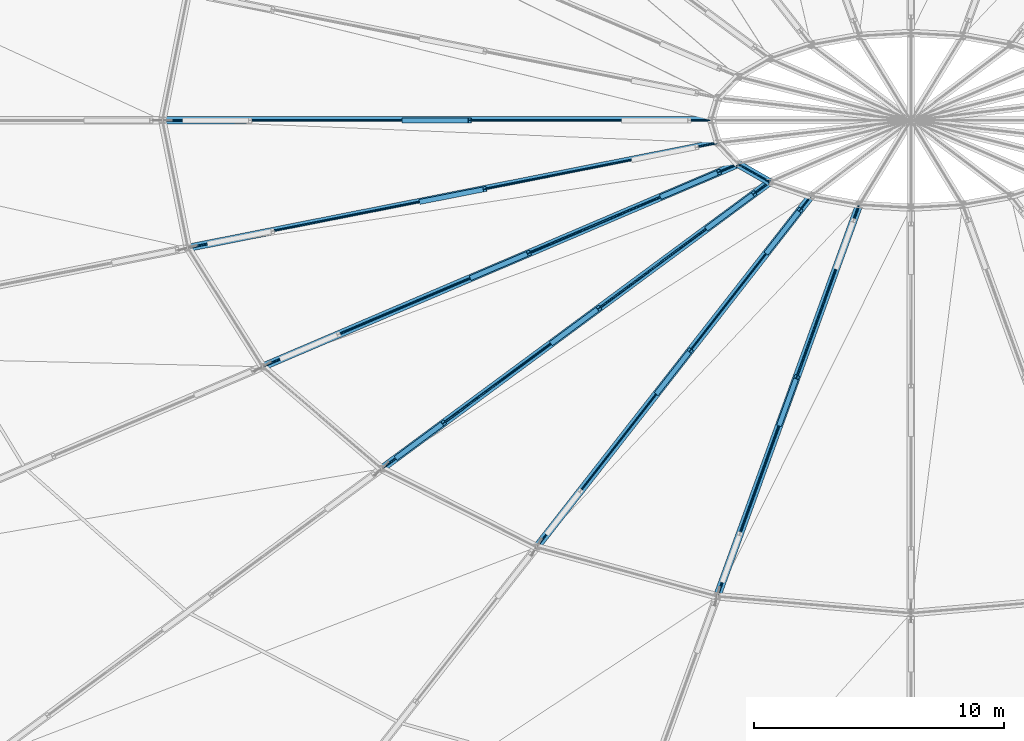
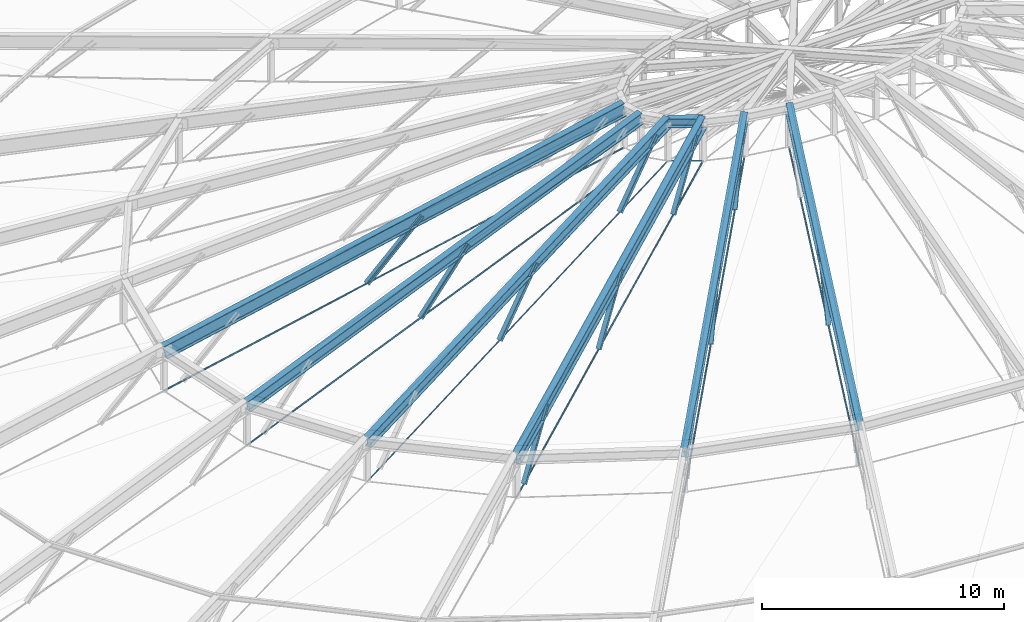
# One storey, part 13 of 83: 17 members, 7 beams.
"""IFC4 building model written with IfcOpenShell, lengths in metres."""

from ifc_helpers import new_model, si_unit, direction, frame, origin, origin_2d, place, context, subcontext, project, spatial, circle, i_section, extrude, material, material_profile, profile_set, type_object, element, save


model = new_model("IFC4")

# Units and contexts
model_context = context("Model", 3, precision=1e-05, world=origin(), true_north=direction((0.0, 1.0)))
body_context = subcontext(model_context, "Body", "Model", "MODEL_VIEW")
ifc_project = project(units=[si_unit("LENGTHUNIT", "METRE"), si_unit("AREAUNIT", "SQUARE_METRE"), si_unit("VOLUMEUNIT", "CUBIC_METRE"), si_unit("PLANEANGLEUNIT", "RADIAN"), si_unit("MASSUNIT", "GRAM", prefix="KILO")], contexts=[model_context])

# Site, building, storey
site_placement = place(None, origin())
site = spatial("IfcSite", under=ifc_project, at=site_placement, CompositionType="ELEMENT")
building_placement = place(site_placement, origin())
building = spatial("IfcBuilding", under=site, at=building_placement, Name="Kivolera Central Railway Station", CompositionType="ELEMENT")
storey_placement = place(building_placement, frame((0.0, 0.0, 14.39990234375)))
storey = spatial("IfcBuildingStorey", under=building, at=storey_placement, Name="L03", CompositionType="ELEMENT", Elevation=14.39990234375)

# Beams
ifc_material_1 = material(Name="Steel S355", Category="steel")
ifc_material_profile_1 = material_profile(ifc_material_1, i_section(OverallWidth=0.300048828125, OverallDepth=0.449951171875, WebThickness=0.013916015625, FlangeThickness=0.02587890625, FilletRadius=0.027099609375, at=origin_2d()), Name="HEB 450")
ifc_profile_set_1 = profile_set([ifc_material_profile_1], Name="Steel S355")
beam_type_1 = type_object("IfcBeamType", Name="BM-DCR-HEB450", PredefinedType="BEAM", material=ifc_profile_set_1)
beam_1_placement = place(storey_placement, frame((57.072021484375, 88.25, 10.380126953125), z_axis=(0.868592017053, -0.495527908307, 0.0), x_axis=(0.495527908307, 0.868592017053, 0.0)))
element("IfcBeam", 1, at=beam_1_placement, inside=storey, type_object=beam_type_1, Name="Oval Dome Inner Crown Ring Beam DCR2-15", PredefinedType="BEAM", context=body_context, shape_type="SweptSolid", body=[
    extrude(i_section(OverallWidth=0.300048828125, OverallDepth=0.449951171875, WebThickness=0.013916015625, FlangeThickness=0.02587890625, FilletRadius=0.027099609375, at=origin_2d()), origin(), (0.0, 0.0, 1.0), 1.46337890625),
])
ifc_material_profile_2 = material_profile(ifc_material_1, i_section(OverallWidth=0.300048828125, OverallDepth=0.60009765625, WebThickness=0.015380859375, FlangeThickness=0.030029296875, FilletRadius=0.027099609375, at=origin_2d()), Name="HEB 600")
ifc_profile_set_2 = profile_set([ifc_material_profile_2], Name="Steel S355")
beam_type_2 = type_object("IfcBeamType", Name="BM-DRB-HEB600", PredefinedType="BEAM", material=ifc_profile_set_2)
beam_2_placement = place(storey_placement, frame((35.02197265625, 84.887939453125, 5.780029296875), z_axis=(0.959575067496, 0.189921870121, 0.207714643419), x_axis=(-0.194156528124, 0.980970561529, 0.0)))
element("IfcBeam", 2, at=beam_2_placement, inside=storey, type_object=beam_type_2, Name="Oval Dome Radial Arch Rib Mid Segment DRB2-14", PredefinedType="BEAM", context=body_context, shape_type="SweptSolid", body=[
    extrude(i_section(OverallWidth=0.300048828125, OverallDepth=0.60009765625, WebThickness=0.015380859375, FlangeThickness=0.030029296875, FilletRadius=0.027099609375, at=origin_2d()), origin(), (0.0, 0.0, 1.0), 22.146240234375),
])
beam_3_placement = place(storey_placement, frame((38.01904296875, 80.125, 5.780029296875), z_axis=(0.897973960833, 0.382934270659, 0.216804312733), x_axis=(-0.392264242774, 0.919852577232, 0.0)))
element("IfcBeam", 3, at=beam_3_placement, inside=storey, type_object=beam_type_2, Name="Oval Dome Radial Arch Rib Mid Segment DRB2-15", PredefinedType="BEAM", context=body_context, shape_type="SweptSolid", body=[
    extrude(i_section(OverallWidth=0.300048828125, OverallDepth=0.60009765625, WebThickness=0.015380859375, FlangeThickness=0.030029296875, FilletRadius=0.027099609375, at=origin_2d()), origin(), (0.0, 0.0, 1.0), 21.2177734375),
])
beam_4_placement = place(storey_placement, frame((49.0, 72.89599609375, 5.780029296875), z_axis=(0.596374461748, 0.762979694126, 0.249398251249), x_axis=(-0.787875774428, 0.61583420177, 0.0)))
element("IfcBeam", 4, at=beam_4_placement, inside=storey, type_object=beam_type_2, Name="Oval Dome Radial Arch Rib Mid Segment DRB2-17", PredefinedType="BEAM", context=body_context, shape_type="SweptSolid", body=[
    extrude(i_section(OverallWidth=0.300048828125, OverallDepth=0.60009765625, WebThickness=0.015380859375, FlangeThickness=0.030029296875, FilletRadius=0.027099609375, at=origin_2d()), origin(), (0.0, 0.0, 1.0), 18.44482421875),
])
beam_5_placement = place(storey_placement, frame((56.235107421875, 70.923095703125, 5.780029296875), z_axis=(0.328767895106, 0.906289682546, 0.265613784391), x_axis=(-0.940056982203, 0.341017404557, 0.0)))
element("IfcBeam", 5, at=beam_5_placement, inside=storey, type_object=beam_type_2, Name="Oval Dome Radial Arch Rib Mid Segment DRB2-18", PredefinedType="BEAM", context=body_context, shape_type="SweptSolid", body=[
    extrude(i_section(OverallWidth=0.300048828125, OverallDepth=0.60009765625, WebThickness=0.015380859375, FlangeThickness=0.030029296875, FilletRadius=0.027099609375, at=origin_2d()), origin(), (0.0, 0.0, 1.0), 17.31884765625),
])
ifc_material_profile_3 = material_profile(ifc_material_1, i_section(OverallWidth=0.300048828125, OverallDepth=0.699951171875, WebThickness=0.01708984375, FlangeThickness=0.031982421875, FilletRadius=0.027099609375, at=origin_2d()), Name="HEB 700")
ifc_profile_set_3 = profile_set([ifc_material_profile_3], Name="Steel S355")
beam_type_3 = type_object("IfcBeamType", Name="BM-DRB-HEB700", PredefinedType="BEAM", material=ifc_profile_set_3)
beam_6_placement = place(storey_placement, frame((34.0, 90.0, 5.780029296875), z_axis=(0.978831230203, 0.0, 0.204669056724), x_axis=(0.0, 1.0, 0.0)))
element("IfcBeam", 6, at=beam_6_placement, inside=storey, type_object=beam_type_3, Name="Oval Dome Radial Arch Rib Mid Segment DRB2-13", PredefinedType="BEAM", context=body_context, shape_type="SweptSolid", body=[
    extrude(i_section(OverallWidth=0.300048828125, OverallDepth=0.699951171875, WebThickness=0.01708984375, FlangeThickness=0.031982421875, FilletRadius=0.027099609375, at=origin_2d()), origin(), (0.0, 0.0, 1.0), 22.475830078125),
])
beam_7_placement = place(storey_placement, frame((42.787109375, 76.034912109375, 5.780029296875), z_axis=(0.782537226919, 0.578001938423, 0.231407103749), x_axis=(-0.594128361521, 0.804370244375, 0.0)))
element("IfcBeam", 7, at=beam_7_placement, inside=storey, type_object=beam_type_3, Name="Oval Dome Radial Arch Rib Mid Segment DRB2-16", PredefinedType="BEAM", context=body_context, shape_type="SweptSolid", body=[
    extrude(i_section(OverallWidth=0.300048828125, OverallDepth=0.699951171875, WebThickness=0.01708984375, FlangeThickness=0.031982421875, FilletRadius=0.027099609375, at=origin_2d()), origin(), (0.0, 0.0, 1.0), 19.87890625),
])

# Members
ifc_material_2 = material(Name="Spiral strand steel S460", Category="steel")
ifc_material_profile_4 = material_profile(ifc_material_2, circle(Radius=0.02392578125, at=origin_2d()), Name="CABLE D48")
ifc_profile_set_4 = profile_set([ifc_material_profile_4], Name="Spiral strand steel S460")
member_type_1 = type_object("IfcMemberType", Name="MEM-CABLE-D48", PredefinedType="USERDEFINED", material=ifc_profile_set_4)
member_1_placement = place(storey_placement, frame((57.072021484375, 88.25, 8.380126953125), z_axis=(0.868592017053, -0.495527908307, 0.0), x_axis=(0.495527908307, 0.868592017053, 0.0)))
element("IfcMember", 8, at=member_1_placement, inside=storey, type_object=member_type_1, Name="Dome Crown Hoop Tension Cable HC2-15", ObjectType="TENSION_CABLE", PredefinedType="USERDEFINED", context=body_context, shape_type="SweptSolid", body=[
    extrude(circle(Radius=0.02392578125, at=origin_2d()), origin(), (0.0, 0.0, 1.0), 1.46337890625),
])
ifc_material_profile_5 = material_profile(ifc_material_2, circle(Radius=0.031982421875, at=origin_2d()), Name="CABLE D64")
ifc_profile_set_5 = profile_set([ifc_material_profile_5], Name="Spiral strand steel S460")
member_type_2 = type_object("IfcMemberType", Name="MEM-CABLE-D64", PredefinedType="USERDEFINED", material=ifc_profile_set_5)
member_2_placement = place(storey_placement, frame((34.0, 90.0, 3.780029296875), z_axis=(0.978831230203, 0.0, 0.204669056724), x_axis=(0.0, 1.0, 0.0)))
element("IfcMember", 9, at=member_2_placement, inside=storey, type_object=member_type_2, Name="Dome Inner Radial Tension Cable RC2-13", ObjectType="TENSION_CABLE", PredefinedType="USERDEFINED", context=body_context, shape_type="SweptSolid", body=[
    extrude(circle(Radius=0.031982421875, at=origin_2d()), origin(), (0.0, 0.0, 1.0), 22.475830078125),
])
member_3_placement = place(storey_placement, frame((35.02197265625, 84.887939453125, 3.780029296875), z_axis=(0.959575067496, 0.189921870121, 0.207714643419), x_axis=(-0.194156528124, 0.980970561529, 0.0)))
element("IfcMember", 10, at=member_3_placement, inside=storey, type_object=member_type_2, Name="Dome Inner Radial Tension Cable RC2-14", ObjectType="TENSION_CABLE", PredefinedType="USERDEFINED", context=body_context, shape_type="SweptSolid", body=[
    extrude(circle(Radius=0.031982421875, at=origin_2d()), origin(), (0.0, 0.0, 1.0), 22.146240234375),
])
member_4_placement = place(storey_placement, frame((38.01904296875, 80.125, 3.780029296875), z_axis=(0.897973960833, 0.382934270659, 0.216804312733), x_axis=(-0.392264242774, 0.919852577232, 0.0)))
element("IfcMember", 11, at=member_4_placement, inside=storey, type_object=member_type_2, Name="Dome Inner Radial Tension Cable RC2-15", ObjectType="TENSION_CABLE", PredefinedType="USERDEFINED", context=body_context, shape_type="SweptSolid", body=[
    extrude(circle(Radius=0.031982421875, at=origin_2d()), origin(), (0.0, 0.0, 1.0), 21.2177734375),
])
member_5_placement = place(storey_placement, frame((42.787109375, 76.034912109375, 3.780029296875), z_axis=(0.782537226919, 0.578001938423, 0.231407103749), x_axis=(-0.594128361521, 0.804370244375, 0.0)))
element("IfcMember", 12, at=member_5_placement, inside=storey, type_object=member_type_2, Name="Dome Inner Radial Tension Cable RC2-16", ObjectType="TENSION_CABLE", PredefinedType="USERDEFINED", context=body_context, shape_type="SweptSolid", body=[
    extrude(circle(Radius=0.031982421875, at=origin_2d()), origin(), (0.0, 0.0, 1.0), 19.87890625),
])
member_6_placement = place(storey_placement, frame((49.0, 72.89599609375, 3.780029296875), z_axis=(0.596374461748, 0.762979694126, 0.249398251249), x_axis=(-0.787875774428, 0.61583420177, 0.0)))
element("IfcMember", 13, at=member_6_placement, inside=storey, type_object=member_type_2, Name="Dome Inner Radial Tension Cable RC2-17", ObjectType="TENSION_CABLE", PredefinedType="USERDEFINED", context=body_context, shape_type="SweptSolid", body=[
    extrude(circle(Radius=0.031982421875, at=origin_2d()), origin(), (0.0, 0.0, 1.0), 18.44482421875),
])
member_7_placement = place(storey_placement, frame((56.235107421875, 70.923095703125, 3.780029296875), z_axis=(0.328767895106, 0.906289682546, 0.265613784391), x_axis=(-0.940056982203, 0.341017404557, 0.0)))
element("IfcMember", 14, at=member_7_placement, inside=storey, type_object=member_type_2, Name="Dome Inner Radial Tension Cable RC2-18", ObjectType="TENSION_CABLE", PredefinedType="USERDEFINED", context=body_context, shape_type="SweptSolid", body=[
    extrude(circle(Radius=0.031982421875, at=origin_2d()), origin(), (0.0, 0.0, 1.0), 17.31884765625),
])
ifc_material_profile_6 = material_profile(ifc_material_1, i_section(OverallWidth=0.199951171875, OverallDepth=0.199951171875, WebThickness=0.009033203125, FlangeThickness=0.014892578125, FilletRadius=0.01806640625, at=origin_2d()), Name="HEB 200")
ifc_profile_set_6 = profile_set([ifc_material_profile_6], Name="Steel S355")
member_type_3 = type_object("IfcMemberType", Name="MEM-RAF-HEB200", PredefinedType="RAFTER", material=ifc_profile_set_6)
member_8_placement = place(storey_placement, frame((43.679931640625, 90.0, 5.80419921875), z_axis=(0.719006095885, 0.0, 0.695003765515), x_axis=(0.0, 1.0, 0.0)))
element("IfcMember", 15, at=member_8_placement, inside=storey, type_object=member_type_3, Name="Dome Inner Truss Raking Web DWEB2-13.2", PredefinedType="RAFTER", context=body_context, shape_type="SweptSolid", body=[
    extrude(i_section(OverallWidth=0.199951171875, OverallDepth=0.199951171875, WebThickness=0.009033203125, FlangeThickness=0.014892578125, FilletRadius=0.01806640625, at=origin_2d()), origin(), (0.0, 0.0, 1.0), 3.671875),
])
member_9_placement = place(storey_placement, frame((44.3720703125, 86.739013671875, 5.80419921875), z_axis=(0.700177074748, 0.138306582666, 0.700445110761), x_axis=(-0.193786418213, 0.981043742203, 0.0)))
element("IfcMember", 16, at=member_9_placement, inside=storey, type_object=member_type_3, Name="Dome Inner Truss Raking Web DWEB2-14.2", PredefinedType="RAFTER", context=body_context, shape_type="SweptSolid", body=[
    extrude(i_section(OverallWidth=0.199951171875, OverallDepth=0.199951171875, WebThickness=0.009033203125, FlangeThickness=0.014892578125, FilletRadius=0.01806640625, at=origin_2d()), origin(), (0.0, 0.0, 1.0), 3.643310546875),
])
member_10_placement = place(storey_placement, frame((46.402099609375, 83.699951171875, 5.80419921875), z_axis=(0.641879650981, 0.273691398101, 0.716298493829), x_axis=(-0.392223776266, 0.91986983282, 0.0)))
element("IfcMember", 17, at=member_10_placement, inside=storey, type_object=member_type_3, Name="Dome Inner Truss Raking Web DWEB2-15.2", PredefinedType="RAFTER", context=body_context, shape_type="SweptSolid", body=[
    extrude(i_section(OverallWidth=0.199951171875, OverallDepth=0.199951171875, WebThickness=0.009033203125, FlangeThickness=0.014892578125, FilletRadius=0.01806640625, at=origin_2d()), origin(), (0.0, 0.0, 1.0), 3.562744140625),
])
member_11_placement = place(storey_placement, frame((54.02392578125, 86.949951171875, 7.64404296875), z_axis=(0.641758749777, 0.273727514589, 0.716393017025), x_axis=(-0.392330096129, 0.919824491776, 0.0)))
element("IfcMember", 18, at=member_11_placement, inside=storey, type_object=member_type_3, Name="Dome Inner Truss Raking Web DWEB2-15.3", PredefinedType="RAFTER", context=body_context, shape_type="SweptSolid", body=[
    extrude(i_section(OverallWidth=0.199951171875, OverallDepth=0.199951171875, WebThickness=0.009033203125, FlangeThickness=0.014892578125, FilletRadius=0.01806640625, at=origin_2d()), origin(), (0.0, 0.0, 1.0), 3.562255859375),
])
member_12_placement = place(storey_placement, frame((43.408935546875, 76.4951171875, 3.964111328125), z_axis=(0.541270764983, 0.39949420656, 0.739885354566), x_axis=(-0.593837701674, 0.804584852002, 0.0)))
element("IfcMember", 19, at=member_12_placement, inside=storey, type_object=member_type_3, Name="Dome Inner Truss Raking Web DWEB2-16.1", PredefinedType="RAFTER", context=body_context, shape_type="SweptSolid", body=[
    extrude(i_section(OverallWidth=0.199951171875, OverallDepth=0.199951171875, WebThickness=0.009033203125, FlangeThickness=0.014892578125, FilletRadius=0.01806640625, at=origin_2d()), origin(), (0.0, 0.0, 1.0), 3.44921875),
])
member_13_placement = place(storey_placement, frame((49.632080078125, 81.091064453125, 5.80419921875), z_axis=(0.541070539817, 0.39955542676, 0.739998737761), x_axis=(-0.594038836545, 0.804436362104, 0.0)))
element("IfcMember", 20, at=member_13_placement, inside=storey, type_object=member_type_3, Name="Dome Inner Truss Raking Web DWEB2-16.2", PredefinedType="RAFTER", context=body_context, shape_type="SweptSolid", body=[
    extrude(i_section(OverallWidth=0.199951171875, OverallDepth=0.199951171875, WebThickness=0.009033203125, FlangeThickness=0.014892578125, FilletRadius=0.01806640625, at=origin_2d()), origin(), (0.0, 0.0, 1.0), 3.44873046875),
])
member_14_placement = place(storey_placement, frame((55.85400390625, 85.68701171875, 7.64404296875), z_axis=(0.541270764983, 0.39949420656, 0.739885354566), x_axis=(-0.593837701674, 0.804584852002, 0.0)))
element("IfcMember", 21, at=member_14_placement, inside=storey, type_object=member_type_3, Name="Dome Inner Truss Raking Web DWEB2-16.3", PredefinedType="RAFTER", context=body_context, shape_type="SweptSolid", body=[
    extrude(i_section(OverallWidth=0.199951171875, OverallDepth=0.199951171875, WebThickness=0.009033203125, FlangeThickness=0.014892578125, FilletRadius=0.01806640625, at=origin_2d()), origin(), (0.0, 0.0, 1.0), 3.44921875),
])
for number, where, z_axis, x_axis, name in (
    (22, (53.840087890625, 79.087890625, 5.80419921875), (0.396001338606, 0.506831901927, 0.765705141038), (-0.787995020105, 0.61568161276, 0.0), "Dome Inner Truss Raking Web DWEB2-17.2"),
    (23, (58.239990234375, 84.717041015625, 7.64404296875), (0.396077804274, 0.506762761229, 0.765711353444), (-0.787896583564, 0.615807578394, 0.0), "Dome Inner Truss Raking Web DWEB2-17.3"),
):
    element("IfcMember", number, at=place(storey_placement, frame(where, z_axis=z_axis, x_axis=x_axis)), inside=storey, type_object=member_type_3, Name=name, PredefinedType="RAFTER", context=body_context, shape_type="SweptSolid", body=[
        extrude(i_section(OverallWidth=0.199951171875, OverallDepth=0.199951171875, WebThickness=0.009033203125, FlangeThickness=0.014892578125, FilletRadius=0.01806640625, at=origin_2d()), origin(), (0.0, 0.0, 1.0), 3.332763671875),
    ])
member_15_placement = place(storey_placement, frame((58.739990234375, 77.8291015625, 5.80419921875), z_axis=(0.210817926506, 0.580539300827, 0.786466732964), x_axis=(-0.939942715571, 0.341332230305, 0.0)))
element("IfcMember", 24, at=member_15_placement, inside=storey, type_object=member_type_3, Name="Dome Inner Truss Raking Web DWEB2-18.2", PredefinedType="RAFTER", context=body_context, shape_type="SweptSolid", body=[
    extrude(i_section(OverallWidth=0.199951171875, OverallDepth=0.199951171875, WebThickness=0.009033203125, FlangeThickness=0.014892578125, FilletRadius=0.01806640625, at=origin_2d()), origin(), (0.0, 0.0, 1.0), 3.244873046875),
])

save(model, "model.ifc")
